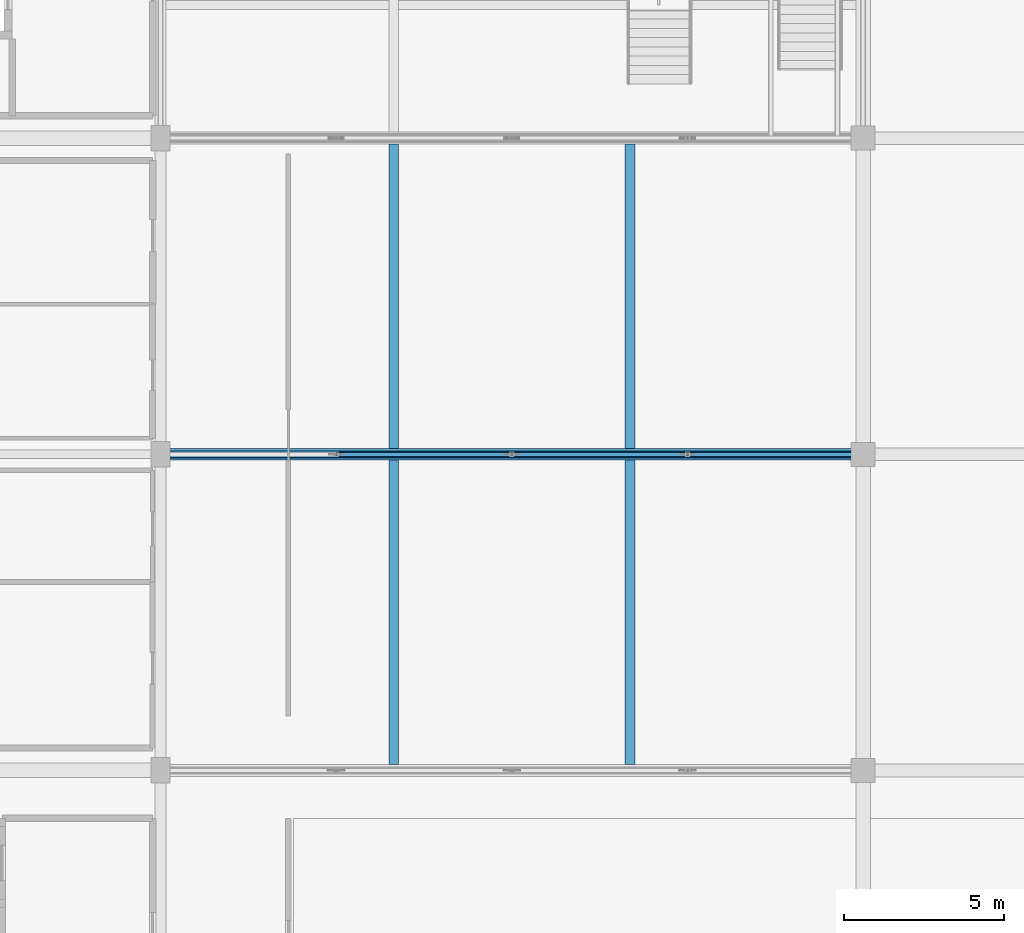
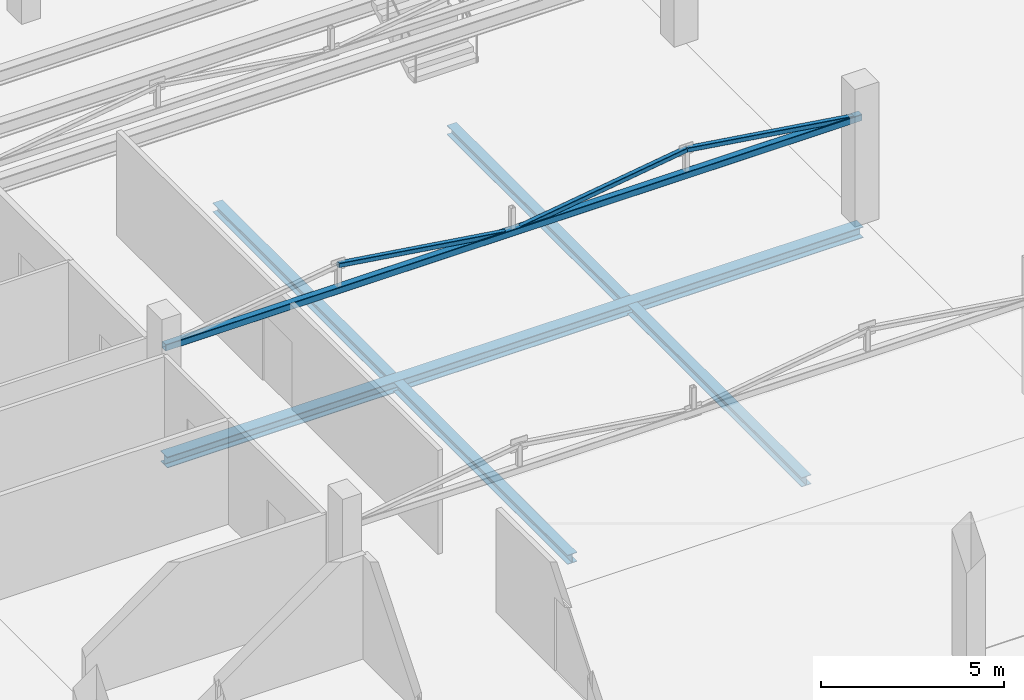
# One storey, part 16 of 49: 5 beams, 4 members.
"""IFC4 building model written with IfcOpenShell, lengths in metres."""

from ifc_helpers import new_model, si_unit, direction, frame, origin, origin_2d, place, context, subcontext, project, spatial, hollow_rectangle, i_section, extrude, material, material_profile, profile_set, type_object, element, save


model = new_model("IFC4")

# Units and contexts
model_context = context("Model", 3, precision=1e-05, world=origin(), true_north=direction((0.0, 1.0)))
body_context = subcontext(model_context, "Body", "Model", "MODEL_VIEW")
ifc_project = project(units=[si_unit("LENGTHUNIT", "METRE"), si_unit("AREAUNIT", "SQUARE_METRE"), si_unit("VOLUMEUNIT", "CUBIC_METRE"), si_unit("PLANEANGLEUNIT", "RADIAN"), si_unit("MASSUNIT", "GRAM", prefix="KILO")], contexts=[model_context])

# Site, building, storey
site_placement = place(None, origin())
site = spatial("IfcSite", under=ifc_project, at=site_placement, CompositionType="ELEMENT")
building_placement = place(site_placement, origin())
building = spatial("IfcBuilding", under=site, at=building_placement, Name="Sillaruma Civic Art Gallery", CompositionType="ELEMENT")
storey_placement = place(building_placement, frame((0.0, 0.0, 33.14990234375)))
storey = spatial("IfcBuildingStorey", under=building, at=storey_placement, Name="L06", CompositionType="ELEMENT", Elevation=33.14990234375)

# Beams
ifc_material_1 = material(Name="Structural Steel ASTM A992 Gr.50", Category="steel")
ifc_material_profile_1 = material_profile(ifc_material_1, i_section(OverallWidth=0.305908203125, OverallDepth=0.31103515625, WebThickness=0.010986328125, FlangeThickness=0.01708984375, FilletRadius=0.014892578125, at=origin_2d()), Name="W310x107")
ifc_profile_set_1 = profile_set([ifc_material_profile_1], Name="Structural Steel ASTM A992 Gr.50")
beam_type_1 = type_object("IfcBeamType", Name="BM-JOIST-W310x107", PredefinedType="JOIST", material=ifc_profile_set_1)
for number, where, z_axis, x_axis, name in (
    (1, (77.300048828125, 49.685546875, -0.3955078125), (0.0, 1.0, 0.0), (-1.0, 0.0, 0.0), "Long-Span Gallery Joist JS-03 (L05:6-7)"),
    (2, (84.699951171875, 49.685546875, -0.3955078125), (0.0, 1.0, 0.0), (-1.0, 0.0, 0.0), "Long-Span Gallery Joist JS-03 (L05:6-7)"),
    (3, (77.300048828125, 59.58544921875, -0.3955078125), (0.0, 1.0, 0.0), (-1.0, 0.0, 0.0), "Long-Span Gallery Joist JS-03 (L05:7-8)"),
    (4, (84.699951171875, 59.58544921875, -0.3955078125), (0.0, 1.0, 0.0), (-1.0, 0.0, 0.0), "Long-Span Gallery Joist JS-03 (L05:7-8)"),
):
    element("IfcBeam", number, at=place(storey_placement, frame(where, z_axis=z_axis, x_axis=x_axis)), inside=storey, type_object=beam_type_1, Name=name, PredefinedType="JOIST", context=body_context, shape_type="SweptSolid", body=[
        extrude(i_section(OverallWidth=0.305908203125, OverallDepth=0.31103515625, WebThickness=0.010986328125, FlangeThickness=0.01708984375, FilletRadius=0.014892578125, at=origin_2d()), origin(), (0.0, 0.0, 1.0), 9.529052734375),
    ])
ifc_material_profile_2 = material_profile(ifc_material_1, i_section(OverallWidth=0.37109375, OverallDepth=0.364013671875, WebThickness=0.01318359375, FlangeThickness=0.021728515625, FilletRadius=0.014892578125, at=origin_2d()), Name="W360x162")
ifc_profile_set_2 = profile_set([ifc_material_profile_2], Name="Structural Steel ASTM A992 Gr.50")
beam_type_2 = type_object("IfcBeamType", Name="BM-TRTOP-W360x162", PredefinedType="BEAM", material=ifc_profile_set_2)
beam_placement = place(storey_placement, frame((70.0, 59.39990234375, -0.421875), z_axis=(1.0, 0.0, 0.0), x_axis=(0.0, 1.0, 0.0)))
element("IfcBeam", 5, at=beam_placement, inside=storey, type_object=beam_type_2, Name="Warren Truss Top Chord TR-L05-2", PredefinedType="BEAM", context=body_context, shape_type="SweptSolid", body=[
    extrude(i_section(OverallWidth=0.37109375, OverallDepth=0.364013671875, WebThickness=0.01318359375, FlangeThickness=0.021728515625, FilletRadius=0.014892578125, at=origin_2d()), origin(), (0.0, 0.0, 1.0), 22.0),
])

# Members
ifc_material_2 = material(Name="Structural Steel ASTM A500 Gr.C", Category="steel")
ifc_material_profile_3 = material_profile(ifc_material_2, hollow_rectangle(XDim=0.14990234375, YDim=0.14990234375, WallThickness=0.010009765625, InnerFilletRadius=0.010009765625, OuterFilletRadius=0.02001953125, at=origin_2d()), Name="HSS150x150x10")
ifc_profile_set_3 = profile_set([ifc_material_profile_3], Name="Structural Steel ASTM A500 Gr.C")
member_type_1 = type_object("IfcMemberType", Name="MEM-BRACE-HSS150x150x10", PredefinedType="BRACE", material=ifc_profile_set_3)
for number, where, z_axis, x_axis, name in (
    (6, (75.5, 59.39990234375, 4.168212890625), (0.989377720719, 0.0, -0.145367553959), (0.0, 1.0, 0.0), "Warren Truss Diagonal TR-L06-2-D2"),
    (7, (81.0, 59.39990234375, 3.360107421875), (0.989377720719, 0.0, 0.145367553959), (0.0, 1.0, 0.0), "Warren Truss Diagonal TR-L06-2-D3"),
    (8, (86.5, 59.39990234375, 4.168212890625), (0.989377720719, 0.0, -0.145367553959), (0.0, 1.0, 0.0), "Warren Truss Diagonal TR-L06-2-D4"),
):
    element("IfcMember", number, at=place(storey_placement, frame(where, z_axis=z_axis, x_axis=x_axis)), inside=storey, type_object=member_type_1, Name=name, PredefinedType="BRACE", context=body_context, shape_type="SweptSolid", body=[
        extrude(hollow_rectangle(XDim=0.14990234375, YDim=0.14990234375, WallThickness=0.010009765625, InnerFilletRadius=0.010009765625, OuterFilletRadius=0.02001953125, at=origin_2d()), origin(), (0.0, 0.0, 1.0), 5.55908203125),
    ])
ifc_material_profile_4 = material_profile(ifc_material_2, hollow_rectangle(XDim=0.219970703125, YDim=0.219970703125, WallThickness=0.012451171875, InnerFilletRadius=0.012451171875, OuterFilletRadius=0.02490234375, at=origin_2d()), Name="HSS220x220x12.5")
ifc_profile_set_4 = profile_set([ifc_material_profile_4], Name="Structural Steel ASTM A500 Gr.C")
member_type_2 = type_object("IfcMemberType", Name="MEM-CHORD-HSS220x220x12.5", PredefinedType="CHORD", material=ifc_profile_set_4)
member_placement = place(storey_placement, frame((70.0, 59.39990234375, 3.360107421875), z_axis=(1.0, 0.0, 0.0), x_axis=(0.0, 1.0, 0.0)))
element("IfcMember", 9, at=member_placement, inside=storey, type_object=member_type_2, Name="Warren Truss Bottom Chord TR-L06-2", PredefinedType="CHORD", context=body_context, shape_type="SweptSolid", body=[
    extrude(hollow_rectangle(XDim=0.219970703125, YDim=0.219970703125, WallThickness=0.012451171875, InnerFilletRadius=0.012451171875, OuterFilletRadius=0.02490234375, at=origin_2d()), origin(), (0.0, 0.0, 1.0), 22.0),
])

save(model, "model.ifc")
